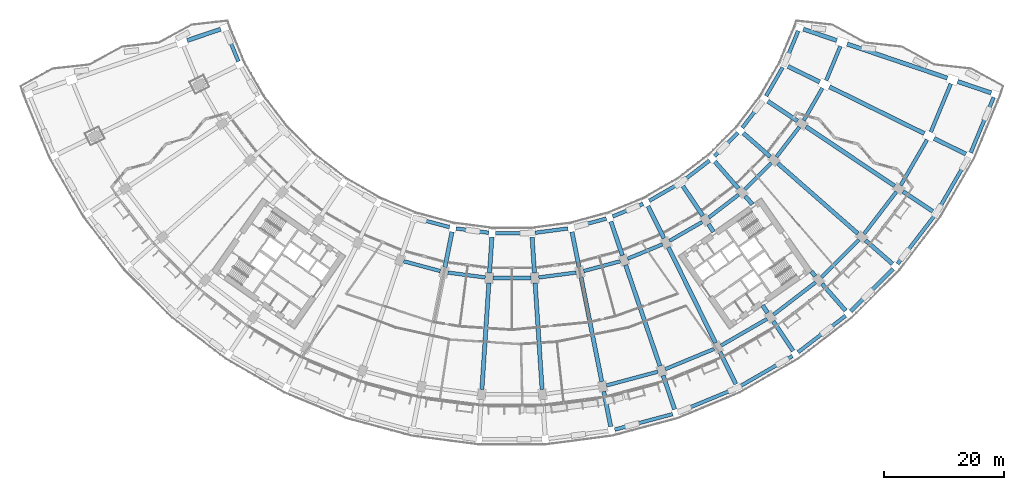
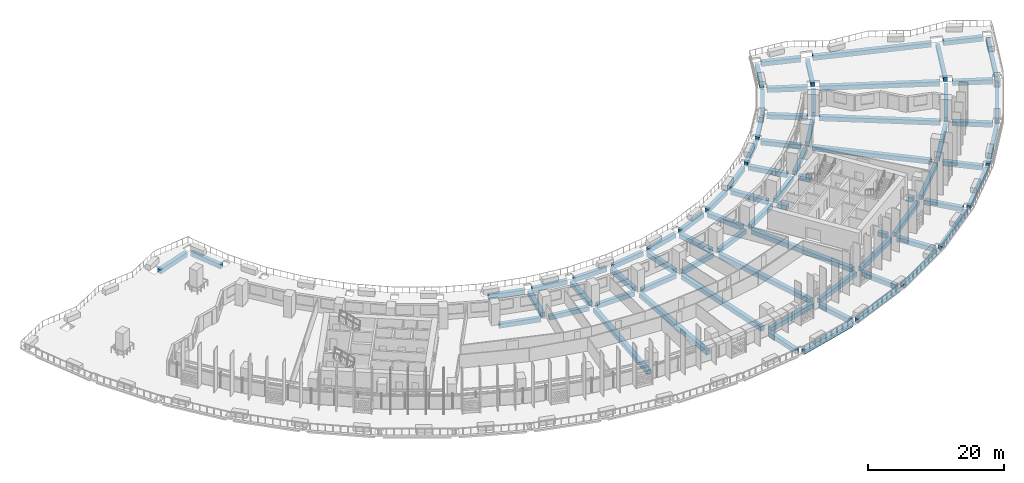
# One storey, part 2 of 35: 76 beams.
"""IFC4 building model written with IfcOpenShell, lengths in metres."""

from ifc_helpers import new_model, si_unit, direction, frame, origin, origin_2d, place, context, subcontext, project, spatial, rectangle, extrude, material, material_profile, profile_set, type_object, element, save


model = new_model("IFC4")

# Units and contexts
model_context = context("Model", 3, precision=1e-05, world=origin(), true_north=direction((0.0, 1.0)))
body_context = subcontext(model_context, "Body", "Model", "MODEL_VIEW")
ifc_project = project(units=[si_unit("LENGTHUNIT", "METRE"), si_unit("AREAUNIT", "SQUARE_METRE"), si_unit("VOLUMEUNIT", "CUBIC_METRE"), si_unit("PLANEANGLEUNIT", "RADIAN"), si_unit("MASSUNIT", "GRAM", prefix="KILO")], contexts=[model_context])

# Site, building, storey
site_placement = place(None, origin())
site = spatial("IfcSite", under=ifc_project, at=site_placement, CompositionType="ELEMENT")
building_placement = place(site_placement, origin())
building = spatial("IfcBuilding", under=site, at=building_placement, Name="Qamariyya Broadcast Tower", CompositionType="ELEMENT")
storey_placement = place(building_placement, frame((0.0, 0.0, 40.5)))
storey = spatial("IfcBuildingStorey", under=building, at=storey_placement, Name="L06", CompositionType="ELEMENT", Elevation=40.5)

# Beams
ifc_material = material(Name="Concrete C50/60", Category="concrete")
ifc_material_profile_1 = material_profile(ifc_material, rectangle(XDim=0.60009765625, YDim=0.800048828125, at=origin_2d()))
ifc_profile_set_1 = profile_set([ifc_material_profile_1], Name="Concrete C50/60")
beam_type_1 = type_object("IfcBeamType", Name="RC edge beam 600 x 800 C50/60", PredefinedType="SPANDREL", material=ifc_profile_set_1)
beam_1_placement = place(storey_placement, frame((-47.845703125, -16.822265625, -0.699951171875), z_axis=(0.382654292645, -0.92389160204, 0.0), x_axis=(0.92389160204, 0.382654292645, 0.0)))
element("IfcBeam", 1, at=beam_1_placement, inside=storey, type_object=beam_type_1, Name="Edge beam B6 L06 A R01-R02", PredefinedType="SPANDREL", context=body_context, shape_type="SweptSolid", body=[
    extrude(rectangle(XDim=0.60009765625, YDim=0.800048828125, at=origin_2d()), origin(), (0.0, 0.0, 1.0), 5.5361328125),
])
for number, where, z_axis, x_axis, name in (
    (2, (-15.78076171875, -48.199462890625, -0.699951171875), (0.965935650788, -0.25878237679, 0.0), (0.25878237679, 0.965935650788, 0.0), "Edge beam B6 L06 A R08-R09"),
    (3, (-9.354248046875, -49.8466796875, -0.699951171875), (0.991443033841, -0.130540072958, 0.0), (0.130540072958, 0.991443033841, 0.0), "Edge beam B6 L06 A R09-R10"),
):
    element("IfcBeam", number, at=place(storey_placement, frame(where, z_axis=z_axis, x_axis=x_axis)), inside=storey, type_object=beam_type_1, Name=name, PredefinedType="SPANDREL", context=body_context, shape_type="SweptSolid", body=[
        extrude(rectangle(XDim=0.60009765625, YDim=0.800048828125, at=origin_2d()), origin(), (0.0, 0.0, 1.0), 5.535888671875),
    ])
beam_2_placement = place(storey_placement, frame((-2.76806640625, -50.641357421875, -0.699951171875), z_axis=(1.0, 0.0, 0.0), x_axis=(0.0, 1.0, 0.0)))
element("IfcBeam", 4, at=beam_2_placement, inside=storey, type_object=beam_type_1, Name="Edge beam B6 L06 A R10-R11", PredefinedType="SPANDREL", context=body_context, shape_type="SweptSolid", body=[
    extrude(rectangle(XDim=0.60009765625, YDim=0.800048828125, at=origin_2d()), origin(), (0.0, 0.0, 1.0), 5.5361328125),
])
for number, where, z_axis, x_axis, name in (
    (5, (3.86572265625, -50.5693359375, -0.699951171875), (0.991443033841, 0.130540072958, 0.0), (-0.130540072958, 0.991443033841, 0.0), "Edge beam B6 L06 A R11-R12"),
    (6, (10.433349609375, -49.632080078125, -0.699951171875), (0.965935650788, 0.25878237679, 0.0), (-0.25878237679, 0.965935650788, 0.0), "Edge beam B6 L06 A R12-R13"),
):
    element("IfcBeam", number, at=place(storey_placement, frame(where, z_axis=z_axis, x_axis=x_axis)), inside=storey, type_object=beam_type_1, Name=name, PredefinedType="SPANDREL", context=body_context, shape_type="SweptSolid", body=[
        extrude(rectangle(XDim=0.60009765625, YDim=0.800048828125, at=origin_2d()), origin(), (0.0, 0.0, 1.0), 5.535888671875),
    ])
beam_3_placement = place(storey_placement, frame((16.822265625, -47.845703125, -0.699951171875), z_axis=(0.92389160204, 0.382654292645, 0.0), x_axis=(-0.382654292645, 0.92389160204, 0.0)))
element("IfcBeam", 7, at=beam_3_placement, inside=storey, type_object=beam_type_1, Name="Edge beam B6 L06 A R13-R14", PredefinedType="SPANDREL", context=body_context, shape_type="SweptSolid", body=[
    extrude(rectangle(XDim=0.60009765625, YDim=0.800048828125, at=origin_2d()), origin(), (0.0, 0.0, 1.0), 5.5361328125),
])
for number, where, z_axis, x_axis, name in (
    (8, (22.923583984375, -45.24072265625, -0.699951171875), (0.86601446587, 0.500018944545, 0.0), (-0.500018944545, 0.86601446587, 0.0), "Edge beam B6 L06 A R14-R15"),
    (9, (28.632568359375, -41.861572265625, -0.699951171875), (0.793341522964, 0.60877682934, 0.0), (-0.60877682934, 0.793341522964, 0.0), "Edge beam B6 L06 A R15-R16"),
):
    element("IfcBeam", number, at=place(storey_placement, frame(where, z_axis=z_axis, x_axis=x_axis)), inside=storey, type_object=beam_type_1, Name=name, PredefinedType="SPANDREL", context=body_context, shape_type="SweptSolid", body=[
        extrude(rectangle(XDim=0.60009765625, YDim=0.800048828125, at=origin_2d()), origin(), (0.0, 0.0, 1.0), 5.535888671875),
    ])
beam_4_placement = place(storey_placement, frame((33.8515625, -37.76611328125, -0.699951171875), z_axis=(0.707106781187, 0.707106781187, 0.0), x_axis=(-0.707106781187, 0.707106781187, 0.0)))
element("IfcBeam", 10, at=beam_4_placement, inside=storey, type_object=beam_type_1, Name="Edge beam B6 L06 A R16-R17", PredefinedType="SPANDREL", context=body_context, shape_type="SweptSolid", body=[
    extrude(rectangle(XDim=0.60009765625, YDim=0.800048828125, at=origin_2d()), origin(), (0.0, 0.0, 1.0), 5.5361328125),
])
for number, where, z_axis, x_axis, name in (
    (11, (38.491455078125, -33.0244140625, -0.699951171875), (0.60877682934, 0.793341522964, 0.0), (-0.793341522964, 0.60877682934, 0.0), "Edge beam B6 L06 A R17-R18"),
    (12, (42.47265625, -27.7177734375, -0.699951171875), (0.500018944545, 0.86601446587, 0.0), (-0.86601446587, 0.500018944545, 0.0), "Edge beam B6 L06 A R18-R19"),
):
    element("IfcBeam", number, at=place(storey_placement, frame(where, z_axis=z_axis, x_axis=x_axis)), inside=storey, type_object=beam_type_1, Name=name, PredefinedType="SPANDREL", context=body_context, shape_type="SweptSolid", body=[
        extrude(rectangle(XDim=0.60009765625, YDim=0.800048828125, at=origin_2d()), origin(), (0.0, 0.0, 1.0), 5.535888671875),
    ])
beam_5_placement = place(storey_placement, frame((45.727294921875, -21.93701171875, -0.699951171875), z_axis=(0.382654292645, 0.92389160204, 0.0), x_axis=(-0.92389160204, 0.382654292645, 0.0)))
element("IfcBeam", 13, at=beam_5_placement, inside=storey, type_object=beam_type_1, Name="Edge beam B6 L06 A R19-R20", PredefinedType="SPANDREL", context=body_context, shape_type="SweptSolid", body=[
    extrude(rectangle(XDim=0.60009765625, YDim=0.800048828125, at=origin_2d()), origin(), (0.0, 0.0, 1.0), 5.5361328125),
])
for number, where, z_axis, x_axis, name in (
    (14, (-18.0947265625, -55.327392578125, -0.699951171875), (0.965931490327, -0.258797905699, 0.0), (0.258797905699, 0.965931490327, 0.0), "Edge beam B6 L06 B R08-R09"),
    (15, (-10.71826171875, -57.2158203125, -0.699951171875), (0.991445610946, -0.130520498525, 0.0), (0.130520498525, 0.991445610946, 0.0), "Edge beam B6 L06 B R09-R10"),
):
    element("IfcBeam", number, at=place(storey_placement, frame(where, z_axis=z_axis, x_axis=x_axis)), inside=storey, type_object=beam_type_1, Name=name, PredefinedType="SPANDREL", context=body_context, shape_type="SweptSolid", body=[
        extrude(rectangle(XDim=0.60009765625, YDim=0.800048828125, at=origin_2d()), origin(), (0.0, 0.0, 1.0), 6.316650390625),
    ])
beam_6_placement = place(storey_placement, frame((-3.158447265625, -58.125244140625, -0.699951171875), z_axis=(1.0, 0.0, 0.0), x_axis=(0.0, 1.0, 0.0)))
element("IfcBeam", 16, at=beam_6_placement, inside=storey, type_object=beam_type_1, Name="Edge beam B6 L06 B R10-R11", PredefinedType="SPANDREL", context=body_context, shape_type="SweptSolid", body=[
    extrude(rectangle(XDim=0.60009765625, YDim=0.800048828125, at=origin_2d()), origin(), (0.0, 0.0, 1.0), 6.31689453125),
])
for number, where, z_axis, x_axis, name in (
    (17, (4.45556640625, -58.040283203125, -0.699951171875), (0.991445610946, 0.130520498525, 0.0), (-0.130520498525, 0.991445610946, 0.0), "Edge beam B6 L06 B R11-R12"),
    (18, (11.9931640625, -56.962158203125, -0.699951171875), (0.965931490327, 0.258797905699, 0.0), (-0.258797905699, 0.965931490327, 0.0), "Edge beam B6 L06 B R12-R13"),
    (19, (19.32568359375, -54.909423828125, -0.699951171875), (0.923884465345, 0.382671523234, 0.0), (-0.382671523234, 0.923884465345, 0.0), "Edge beam B6 L06 B R13-R14"),
):
    element("IfcBeam", number, at=place(storey_placement, frame(where, z_axis=z_axis, x_axis=x_axis)), inside=storey, type_object=beam_type_1, Name=name, PredefinedType="SPANDREL", context=body_context, shape_type="SweptSolid", body=[
        extrude(rectangle(XDim=0.60009765625, YDim=0.800048828125, at=origin_2d()), origin(), (0.0, 0.0, 1.0), 6.316650390625),
    ])
for number, where, z_axis, x_axis, name in (
    (20, (26.327392578125, -51.917236328125, -0.699951171875), (0.866020173512, 0.500009058987, 0.0), (-0.500009058987, 0.866020173512, 0.0), "Edge beam B6 L06 B R14-R15"),
    (21, (32.878662109375, -48.03662109375, -0.699951171875), (0.7933518672, 0.608763348773, 0.0), (-0.608763348773, 0.7933518672, 0.0), "Edge beam B6 L06 B R15-R16"),
):
    element("IfcBeam", number, at=place(storey_placement, frame(where, z_axis=z_axis, x_axis=x_axis)), inside=storey, type_object=beam_type_1, Name=name, PredefinedType="SPANDREL", context=body_context, shape_type="SweptSolid", body=[
        extrude(rectangle(XDim=0.60009765625, YDim=0.800048828125, at=origin_2d()), origin(), (0.0, 0.0, 1.0), 6.31689453125),
    ])
beam_7_placement = place(storey_placement, frame((38.867431640625, -43.333984375, -0.699951171875), z_axis=(0.707106781187, 0.707106781187, 0.0), x_axis=(-0.707106781187, 0.707106781187, 0.0)))
element("IfcBeam", 22, at=beam_7_placement, inside=storey, type_object=beam_type_1, Name="Edge beam B6 L06 B R16-R17", PredefinedType="SPANDREL", context=body_context, shape_type="SweptSolid", body=[
    extrude(rectangle(XDim=0.60009765625, YDim=0.800048828125, at=origin_2d()), origin(), (0.0, 0.0, 1.0), 6.316650390625),
])
beam_8_placement = place(storey_placement, frame((44.191162109375, -37.89013671875, -0.699951171875), z_axis=(0.608763348773, 0.7933518672, 0.0), x_axis=(-0.7933518672, 0.608763348773, 0.0)))
element("IfcBeam", 23, at=beam_8_placement, inside=storey, type_object=beam_type_1, Name="Edge beam B6 L06 B R17-R18", PredefinedType="SPANDREL", context=body_context, shape_type="SweptSolid", body=[
    extrude(rectangle(XDim=0.60009765625, YDim=0.800048828125, at=origin_2d()), origin(), (0.0, 0.0, 1.0), 6.31689453125),
])
beam_9_placement = place(storey_placement, frame((48.7587890625, -31.7978515625, -0.699951171875), z_axis=(0.500002362859, 0.866024039583, 0.0), x_axis=(-0.866024039583, 0.500002362859, 0.0)))
element("IfcBeam", 24, at=beam_9_placement, inside=storey, type_object=beam_type_1, Name="Edge beam B6 L06 B R18-R19", PredefinedType="SPANDREL", context=body_context, shape_type="SweptSolid", body=[
    extrude(rectangle(XDim=0.60009765625, YDim=0.800048828125, at=origin_2d()), origin(), (0.0, 0.0, 1.0), 6.2666015625),
])
beam_10_placement = place(storey_placement, frame((52.51123046875, -25.115234375, -0.699951171875), z_axis=(0.38268477858, 0.92387897489, 0.0), x_axis=(-0.92387897489, 0.38268477858, 0.0)))
element("IfcBeam", 25, at=beam_10_placement, inside=storey, type_object=beam_type_1, Name="Edge beam B6 L06 B R19-R20", PredefinedType="SPANDREL", context=body_context, shape_type="SweptSolid", body=[
    extrude(rectangle(XDim=0.60009765625, YDim=0.800048828125, at=origin_2d()), origin(), (0.0, 0.0, 1.0), 6.21630859375),
])
for number, where, z_axis, x_axis, name in (
    (26, (15.79736328125, -76.08740234375, -0.699951171875), (0.965930847021, 0.258800306749, 0.0), (-0.258800306749, 0.965930847021, 0.0), "Edge beam B6 L06 C R12-R13"),
    (27, (25.59375, -73.37451171875, -0.699951171875), (0.923882942367, 0.382675200142, 0.0), (-0.382675200142, 0.923882942367, 0.0), "Edge beam B6 L06 C R13-R14"),
):
    element("IfcBeam", number, at=place(storey_placement, frame(where, z_axis=z_axis, x_axis=x_axis)), inside=storey, type_object=beam_type_1, Name=name, PredefinedType="SPANDREL", context=body_context, shape_type="SweptSolid", body=[
        extrude(rectangle(XDim=0.60009765625, YDim=0.800048828125, at=origin_2d()), origin(), (0.0, 0.0, 1.0), 8.867431640625),
    ])
beam_11_placement = place(storey_placement, frame((34.9521484375, -69.40625, -0.699951171875), z_axis=(0.866013187848, 0.500021158025, 0.0), x_axis=(-0.500021158025, 0.866013187848, 0.0)))
element("IfcBeam", 28, at=beam_11_placement, inside=storey, type_object=beam_type_1, Name="Edge beam B6 L06 C R14-R15", PredefinedType="SPANDREL", context=body_context, shape_type="SweptSolid", body=[
    extrude(rectangle(XDim=0.60009765625, YDim=0.800048828125, at=origin_2d()), origin(), (0.0, 0.0, 1.0), 8.8671875),
])
beam_12_placement = place(storey_placement, frame((43.71240234375, -64.250244140625, -0.699951171875), z_axis=(0.793347052809, 0.608769622928, 0.0), x_axis=(-0.608769622928, 0.793347052809, 0.0)))
element("IfcBeam", 29, at=beam_12_placement, inside=storey, type_object=beam_type_1, Name="Edge beam B6 L06 C R15-R16", PredefinedType="SPANDREL", context=body_context, shape_type="SweptSolid", body=[
    extrude(rectangle(XDim=0.60009765625, YDim=0.800048828125, at=origin_2d()), origin(), (0.0, 0.0, 1.0), 8.867431640625),
])
beam_13_placement = place(storey_placement, frame((51.724853515625, -57.994873046875, -0.699951171875), z_axis=(0.707106781187, 0.707106781187, 0.0), x_axis=(-0.707106781187, 0.707106781187, 0.0)))
element("IfcBeam", 30, at=beam_13_placement, inside=storey, type_object=beam_type_1, Name="Edge beam B6 L06 C R16-R17", PredefinedType="SPANDREL", context=body_context, shape_type="SweptSolid", body=[
    extrude(rectangle(XDim=0.60009765625, YDim=0.800048828125, at=origin_2d()), origin(), (0.0, 0.0, 1.0), 8.8671875),
])
beam_14_placement = place(storey_placement, frame((58.85205078125, -50.747314453125, -0.699951171875), z_axis=(0.608769622928, 0.793347052809, 0.0), x_axis=(-0.793347052809, 0.608769622928, 0.0)))
element("IfcBeam", 31, at=beam_14_placement, inside=storey, type_object=beam_type_1, Name="Edge beam B6 L06 C R17-R18", PredefinedType="SPANDREL", context=body_context, shape_type="SweptSolid", body=[
    extrude(rectangle(XDim=0.60009765625, YDim=0.800048828125, at=origin_2d()), origin(), (0.0, 0.0, 1.0), 8.867431640625),
])
beam_15_placement = place(storey_placement, frame((64.972412109375, -42.63134765625, -0.699951171875), z_axis=(0.500004477908, 0.866022818448, 0.0), x_axis=(-0.866022818448, 0.500004477908, 0.0)))
element("IfcBeam", 32, at=beam_15_placement, inside=storey, type_object=beam_type_1, Name="Edge beam B6 L06 C R18-R19", PredefinedType="SPANDREL", context=body_context, shape_type="SweptSolid", body=[
    extrude(rectangle(XDim=0.60009765625, YDim=0.800048828125, at=origin_2d()), origin(), (0.0, 0.0, 1.0), 8.8173828125),
])
beam_16_placement = place(storey_placement, frame((70.000244140625, -33.73974609375, -0.699951171875), z_axis=(0.38270841035, 0.923869185896, 0.0), x_axis=(-0.923869185896, 0.38270841035, 0.0)))
element("IfcBeam", 33, at=beam_16_placement, inside=storey, type_object=beam_type_1, Name="Edge beam B6 L06 C R19-R20", PredefinedType="SPANDREL", context=body_context, shape_type="SweptSolid", body=[
    extrude(rectangle(XDim=0.60009765625, YDim=0.800048828125, at=origin_2d()), origin(), (0.0, 0.0, 1.0), 8.76708984375),
])
for number, where, z_axis, x_axis, name in (
    (34, (17.163818359375, -83.46923828125, -0.699951171875), (0.96592657939, 0.258816234475, 0.0), (-0.258816234475, 0.96592657939, 0.0), "Edge beam B6 L06 D R12-R13"),
    (35, (27.911865234375, -80.514892578125, -0.699951171875), (0.923882101991, 0.382677229034, 0.0), (-0.382677229034, 0.923882101991, 0.0), "Edge beam B6 L06 D R13-R14"),
    (36, (38.182373046875, -76.182861328125, -0.699951171875), (0.866027799164, 0.499995851058, 0.0), (-0.499995851058, 0.866027799164, 0.0), "Edge beam B6 L06 D R14-R15"),
):
    element("IfcBeam", number, at=place(storey_placement, frame(where, z_axis=z_axis, x_axis=x_axis)), inside=storey, type_object=beam_type_1, Name=name, PredefinedType="SPANDREL", context=body_context, shape_type="SweptSolid", body=[
        extrude(rectangle(XDim=0.60009765625, YDim=0.800048828125, at=origin_2d()), origin(), (0.0, 0.0, 1.0), 10.048828125),
    ])
for number, where, z_axis, x_axis, name in (
    (37, (47.799560546875, -70.54736328125, -0.699951171875), (0.793354077072, 0.608760468816, 0.0), (-0.608760468816, 0.793354077072, 0.0), "Edge beam B6 L06 D R15-R16"),
    (38, (56.598876953125, -63.70458984375, -0.699951171875), (0.707106781187, 0.707106781187, 0.0), (-0.707106781187, 0.707106781187, 0.0), "Edge beam B6 L06 D R16-R17"),
    (39, (64.429931640625, -55.77197265625, -0.699951171875), (0.608760468816, 0.793354077072, 0.0), (-0.793354077072, 0.608760468816, 0.0), "Edge beam B6 L06 D R17-R18"),
):
    element("IfcBeam", number, at=place(storey_placement, frame(where, z_axis=z_axis, x_axis=x_axis)), inside=storey, type_object=beam_type_1, Name=name, PredefinedType="SPANDREL", context=body_context, shape_type="SweptSolid", body=[
        extrude(rectangle(XDim=0.60009765625, YDim=0.800048828125, at=origin_2d()), origin(), (0.0, 0.0, 1.0), 10.049072265625),
    ])
for number, where, z_axis, x_axis, name in (
    (40, (71.158447265625, -46.885009765625, -0.699951171875), (0.499995851058, 0.866027799164, 0.0), (-0.866027799164, 0.499995851058, 0.0), "Edge beam B6 L06 D R18-R19"),
    (41, (76.66943359375, -37.19580078125, -0.699951171875), (0.382677229034, 0.923882101991, 0.0), (-0.923882101991, 0.382677229034, 0.0), "Edge beam B6 L06 D R19-R20"),
):
    element("IfcBeam", number, at=place(storey_placement, frame(where, z_axis=z_axis, x_axis=x_axis)), inside=storey, type_object=beam_type_1, Name=name, PredefinedType="SPANDREL", context=body_context, shape_type="SweptSolid", body=[
        extrude(rectangle(XDim=0.60009765625, YDim=0.800048828125, at=origin_2d()), origin(), (0.0, 0.0, 1.0), 10.048828125),
    ])
ifc_material_profile_2 = material_profile(ifc_material, rectangle(XDim=0.699951171875, YDim=0.800048828125, at=origin_2d()))
ifc_profile_set_2 = profile_set([ifc_material_profile_2], Name="Concrete C50/60")
beam_type_2 = type_object("IfcBeamType", Name="RC radial beam 700 x 800 C50/60", PredefinedType="BEAM", material=ifc_profile_set_2)
beam_17_placement = place(storey_placement, frame((-48.672119140625, -16.52197265625, -0.699951171875), z_axis=(-0.946929197619, -0.32144221051, 0.0), x_axis=(0.32144221051, -0.946929197619, 0.0)))
element("IfcBeam", 42, at=beam_17_placement, inside=storey, type_object=beam_type_2, Name="Radial beam B5 L06 R01 A-B", PredefinedType="BEAM", context=body_context, shape_type="SweptSolid", body=[
    extrude(rectangle(XDim=0.699951171875, YDim=0.800048828125, at=origin_2d()), origin(), (0.0, 0.0, 1.0), 5.949951171875),
])
for number, where, z_axis, x_axis, name in (
    (43, (-10.027587890625, -50.412353515625, -0.699951171875), (-0.195106616233, -0.980782039141, 0.0), (0.980782039141, -0.195106616233, 0.0), "Radial beam B5 L06 R09 A-B"),
    (44, (-3.36181640625, -51.2900390625, -0.699951171875), (-0.065390069123, -0.997859779157, 0.0), (0.997859779157, -0.065390069123, 0.0), "Radial beam B5 L06 R10 A-B"),
):
    element("IfcBeam", number, at=place(storey_placement, frame(where, z_axis=z_axis, x_axis=x_axis)), inside=storey, type_object=beam_type_2, Name=name, PredefinedType="BEAM", context=body_context, shape_type="SweptSolid", body=[
        extrude(rectangle(XDim=0.699951171875, YDim=0.800048828125, at=origin_2d()), origin(), (0.0, 0.0, 1.0), 6.0),
    ])
beam_18_placement = place(storey_placement, frame((-3.865234375, -58.973388671875, -0.699951171875), z_axis=(-0.0654101824, -0.997858460924, 0.0), x_axis=(0.997858460924, -0.0654101824, 0.0)))
element("IfcBeam", 45, at=beam_18_placement, inside=storey, type_object=beam_type_2, Name="Radial beam B5 L06 R10 B-C", PredefinedType="BEAM", context=body_context, shape_type="SweptSolid", body=[
    extrude(rectangle(XDim=0.699951171875, YDim=0.800048828125, at=origin_2d()), origin(), (0.0, 0.0, 1.0), 17.800048828125),
])
beam_19_placement = place(storey_placement, frame((3.36181640625, -51.2900390625, -0.699951171875), z_axis=(0.065390069123, -0.997859779157, 0.0), x_axis=(0.997859779157, 0.065390069123, 0.0)))
element("IfcBeam", 46, at=beam_19_placement, inside=storey, type_object=beam_type_2, Name="Radial beam B5 L06 R11 A-B", PredefinedType="BEAM", context=body_context, shape_type="SweptSolid", body=[
    extrude(rectangle(XDim=0.699951171875, YDim=0.800048828125, at=origin_2d()), origin(), (0.0, 0.0, 1.0), 6.0),
])
beam_20_placement = place(storey_placement, frame((3.865234375, -58.973388671875, -0.699951171875), z_axis=(0.0654101824, -0.997858460924, 0.0), x_axis=(0.997858460924, 0.0654101824, 0.0)))
element("IfcBeam", 47, at=beam_20_placement, inside=storey, type_object=beam_type_2, Name="Radial beam B5 L06 R11 B-C", PredefinedType="BEAM", context=body_context, shape_type="SweptSolid", body=[
    extrude(rectangle(XDim=0.699951171875, YDim=0.800048828125, at=origin_2d()), origin(), (0.0, 0.0, 1.0), 17.800048828125),
])
beam_21_placement = place(storey_placement, frame((10.027587890625, -50.412353515625, -0.699951171875), z_axis=(0.195106616233, -0.980782039141, 0.0), x_axis=(0.980782039141, 0.195106616233, 0.0)))
element("IfcBeam", 48, at=beam_21_placement, inside=storey, type_object=beam_type_2, Name="Radial beam B5 L06 R12 A-B", PredefinedType="BEAM", context=body_context, shape_type="SweptSolid", body=[
    extrude(rectangle(XDim=0.699951171875, YDim=0.800048828125, at=origin_2d()), origin(), (0.0, 0.0, 1.0), 6.0),
])
beam_22_placement = place(storey_placement, frame((11.52978515625, -57.96435546875, -0.699951171875), z_axis=(0.19509262344, -0.980784822619, 0.0), x_axis=(0.980784822619, 0.19509262344, 0.0)))
element("IfcBeam", 49, at=beam_22_placement, inside=storey, type_object=beam_type_2, Name="Radial beam B5 L06 R12 B-C", PredefinedType="BEAM", context=body_context, shape_type="SweptSolid", body=[
    extrude(rectangle(XDim=0.699951171875, YDim=0.800048828125, at=origin_2d()), origin(), (0.0, 0.0, 1.0), 17.800048828125),
])
beam_23_placement = place(storey_placement, frame((15.333984375, -77.08984375, -0.699951171875), z_axis=(0.195114402779, -0.980780490134, 0.0), x_axis=(0.980780490134, 0.195114402779, 0.0)))
element("IfcBeam", 50, at=beam_23_placement, inside=storey, type_object=beam_type_2, Name="Radial beam B5 L06 R12 C-D", PredefinedType="BEAM", context=body_context, shape_type="SweptSolid", body=[
    extrude(rectangle(XDim=0.699951171875, YDim=0.800048828125, at=origin_2d()), origin(), (0.0, 0.0, 1.0), 5.999755859375),
])
beam_24_placement = place(storey_placement, frame((16.52197265625, -48.672119140625, -0.699951171875), z_axis=(0.32144750987, -0.946927398695, 0.0), x_axis=(0.946927398695, 0.32144750987, 0.0)))
element("IfcBeam", 51, at=beam_24_placement, inside=storey, type_object=beam_type_2, Name="Radial beam B5 L06 R13 A-B", PredefinedType="BEAM", context=body_context, shape_type="SweptSolid", body=[
    extrude(rectangle(XDim=0.699951171875, YDim=0.800048828125, at=origin_2d()), origin(), (0.0, 0.0, 1.0), 6.0),
])
beam_25_placement = place(storey_placement, frame((18.9970703125, -55.963623046875, -0.699951171875), z_axis=(0.321444599042, -0.94692838681, 0.0), x_axis=(0.94692838681, 0.321444599042, 0.0)))
element("IfcBeam", 52, at=beam_25_placement, inside=storey, type_object=beam_type_2, Name="Radial beam B5 L06 R13 B-C", PredefinedType="BEAM", context=body_context, shape_type="SweptSolid", body=[
    extrude(rectangle(XDim=0.699951171875, YDim=0.800048828125, at=origin_2d()), origin(), (0.0, 0.0, 1.0), 17.7998046875),
])
for number, where, z_axis, x_axis, name in (
    (53, (25.26513671875, -74.4287109375, -0.699951171875), (0.32144750987, -0.946927398695, 0.0), (0.946927398695, 0.32144750987, 0.0), "Radial beam B5 L06 R13 C-D"),
    (54, (22.733642578125, -46.099365234375, -0.699951171875), (0.442307728476, -0.896863352652, 0.0), (0.896863352652, 0.442307728476, 0.0), "Radial beam B5 L06 R14 A-B"),
):
    element("IfcBeam", number, at=place(storey_placement, frame(where, z_axis=z_axis, x_axis=x_axis)), inside=storey, type_object=beam_type_2, Name=name, PredefinedType="BEAM", context=body_context, shape_type="SweptSolid", body=[
        extrude(rectangle(XDim=0.699951171875, YDim=0.800048828125, at=origin_2d()), origin(), (0.0, 0.0, 1.0), 6.0),
    ])
beam_26_placement = place(storey_placement, frame((26.13916015625, -53.005126953125, -0.699951171875), z_axis=(0.442291123934, -0.896871541353, 0.0), x_axis=(0.896871541353, 0.442291123934, 0.0)))
element("IfcBeam", 55, at=beam_26_placement, inside=storey, type_object=beam_type_2, Name="Radial beam B5 L06 R14 B-C", PredefinedType="BEAM", context=body_context, shape_type="SweptSolid", body=[
    extrude(rectangle(XDim=0.699951171875, YDim=0.800048828125, at=origin_2d()), origin(), (0.0, 0.0, 1.0), 17.800048828125),
])
beam_27_placement = place(storey_placement, frame((34.763916015625, -70.494140625, -0.699951171875), z_axis=(0.442291587422, -0.896871312784, 0.0), x_axis=(0.896871312784, 0.442291587422, 0.0)))
element("IfcBeam", 56, at=beam_27_placement, inside=storey, type_object=beam_type_2, Name="Radial beam B5 L06 R14 C-D", PredefinedType="BEAM", context=body_context, shape_type="SweptSolid", body=[
    extrude(rectangle(XDim=0.699951171875, YDim=0.800048828125, at=origin_2d()), origin(), (0.0, 0.0, 1.0), 6.000244140625),
])
beam_28_placement = place(storey_placement, frame((28.556396484375, -42.737548828125, -0.699951171875), z_axis=(0.555554414994, -0.831480181352, 0.0), x_axis=(0.831480181352, 0.555554414994, 0.0)))
element("IfcBeam", 57, at=beam_28_placement, inside=storey, type_object=beam_type_2, Name="Radial beam B5 L06 R15 A-B", PredefinedType="BEAM", context=body_context, shape_type="SweptSolid", body=[
    extrude(rectangle(XDim=0.699951171875, YDim=0.800048828125, at=origin_2d()), origin(), (0.0, 0.0, 1.0), 5.999755859375),
])
beam_29_placement = place(storey_placement, frame((32.834228515625, -49.139892578125, -0.699951171875), z_axis=(0.555518362002, -0.831504269068, 0.0), x_axis=(0.831504269068, 0.555518362002, 0.0)))
element("IfcBeam", 58, at=beam_29_placement, inside=storey, type_object=beam_type_2, Name="Radial beam B5 L06 R15 B-C", PredefinedType="BEAM", context=body_context, shape_type="SweptSolid", body=[
    extrude(rectangle(XDim=0.699951171875, YDim=0.800048828125, at=origin_2d()), origin(), (0.0, 0.0, 1.0), 1.514404296875),
])
beam_30_placement = place(storey_placement, frame((41.89990234375, -62.707763671875, -0.699951171875), z_axis=(0.555650227013, -0.831416156459, 0.0), x_axis=(0.831416156459, 0.555650227013, 0.0)))
element("IfcBeam", 59, at=beam_30_placement, inside=storey, type_object=beam_type_2, Name="Radial beam B5 L06 R15 B-C", PredefinedType="BEAM", context=body_context, shape_type="SweptSolid", body=[
    extrude(rectangle(XDim=0.699951171875, YDim=0.800048828125, at=origin_2d()), origin(), (0.0, 0.0, 1.0), 1.48193359375),
])
for number, where, z_axis, x_axis, name in (
    (60, (43.667724609375, -65.353515625, -0.699951171875), (0.555582546151, -0.831461384799, 0.0), (0.831461384799, 0.555582546151, 0.0), "Radial beam B5 L06 R15 C-D"),
    (61, (33.890380859375, -38.64453125, -0.699951171875), (0.659348250729, -0.751837671483, 0.0), (0.751837671483, 0.659348250729, 0.0), "Radial beam B5 L06 R16 A-B"),
):
    element("IfcBeam", number, at=place(storey_placement, frame(where, z_axis=z_axis, x_axis=x_axis)), inside=storey, type_object=beam_type_2, Name=name, PredefinedType="BEAM", context=body_context, shape_type="SweptSolid", body=[
        extrude(rectangle(XDim=0.699951171875, YDim=0.800048828125, at=origin_2d()), origin(), (0.0, 0.0, 1.0), 6.0),
    ])
beam_31_placement = place(storey_placement, frame((38.96728515625, -44.433837890625, -0.699951171875), z_axis=(0.659385827408, -0.751804715743, 0.0), x_axis=(0.751804715743, 0.659385827408, 0.0)))
element("IfcBeam", 62, at=beam_31_placement, inside=storey, type_object=beam_type_2, Name="Radial beam B5 L06 R16 B-C", PredefinedType="BEAM", context=body_context, shape_type="SweptSolid", body=[
    extrude(rectangle(XDim=0.699951171875, YDim=0.800048828125, at=origin_2d()), origin(), (0.0, 0.0, 1.0), 1.8623046875),
])
beam_32_placement = place(storey_placement, frame((50.011962890625, -57.027587890625, -0.699951171875), z_axis=(0.659278599496, -0.751898748667, 0.0), x_axis=(0.751898748667, 0.659278599496, 0.0)))
element("IfcBeam", 63, at=beam_32_placement, inside=storey, type_object=beam_type_2, Name="Radial beam B5 L06 R16 B-C", PredefinedType="BEAM", context=body_context, shape_type="SweptSolid", body=[
    extrude(rectangle(XDim=0.699951171875, YDim=0.800048828125, at=origin_2d()), origin(), (0.0, 0.0, 1.0), 1.049072265625),
])
for number, where, z_axis, x_axis, name in (
    (64, (51.824462890625, -59.0947265625, -0.699951171875), (0.659371250489, -0.75181750048, 0.0), (0.75181750048, 0.659371250489, 0.0), "Radial beam B5 L06 R16 C-D"),
    (65, (38.64453125, -33.890380859375, -0.699951171875), (0.751837671483, -0.659348250729, 0.0), (0.659348250729, 0.751837671483, 0.0), "Radial beam B5 L06 R17 A-B"),
):
    element("IfcBeam", number, at=place(storey_placement, frame(where, z_axis=z_axis, x_axis=x_axis)), inside=storey, type_object=beam_type_2, Name=name, PredefinedType="BEAM", context=body_context, shape_type="SweptSolid", body=[
        extrude(rectangle(XDim=0.699951171875, YDim=0.800048828125, at=origin_2d()), origin(), (0.0, 0.0, 1.0), 6.0),
    ])
beam_33_placement = place(storey_placement, frame((44.433837890625, -38.96728515625, -0.699951171875), z_axis=(0.751836168626, -0.659349964393, 0.0), x_axis=(0.659349964393, 0.751836168626, 0.0)))
element("IfcBeam", 66, at=beam_33_placement, inside=storey, type_object=beam_type_2, Name="Radial beam B5 L06 R17 B-C", PredefinedType="BEAM", context=body_context, shape_type="SweptSolid", body=[
    extrude(rectangle(XDim=0.699951171875, YDim=0.800048828125, at=origin_2d()), origin(), (0.0, 0.0, 1.0), 17.7998046875),
])
beam_34_placement = place(storey_placement, frame((59.0947265625, -51.824462890625, -0.699951171875), z_axis=(0.75181750048, -0.659371250489, 0.0), x_axis=(0.659371250489, 0.75181750048, 0.0)))
element("IfcBeam", 67, at=beam_34_placement, inside=storey, type_object=beam_type_2, Name="Radial beam B5 L06 R17 C-D", PredefinedType="BEAM", context=body_context, shape_type="SweptSolid", body=[
    extrude(rectangle(XDim=0.699951171875, YDim=0.800048828125, at=origin_2d()), origin(), (0.0, 0.0, 1.0), 6.0),
])
beam_35_placement = place(storey_placement, frame((42.737548828125, -28.556396484375, -0.699951171875), z_axis=(0.831480181352, -0.555554414994, 0.0), x_axis=(0.555554414994, 0.831480181352, 0.0)))
element("IfcBeam", 68, at=beam_35_placement, inside=storey, type_object=beam_type_2, Name="Radial beam B5 L06 R18 A-B", PredefinedType="BEAM", context=body_context, shape_type="SweptSolid", body=[
    extrude(rectangle(XDim=0.699951171875, YDim=0.800048828125, at=origin_2d()), origin(), (0.0, 0.0, 1.0), 5.999755859375),
])
beam_36_placement = place(storey_placement, frame((49.139892578125, -32.834228515625, -0.699951171875), z_axis=(0.831467440413, -0.555573483469, 0.0), x_axis=(0.555573483469, 0.831467440413, 0.0)))
element("IfcBeam", 69, at=beam_36_placement, inside=storey, type_object=beam_type_2, Name="Radial beam B5 L06 R18 B-C", PredefinedType="BEAM", context=body_context, shape_type="SweptSolid", body=[
    extrude(rectangle(XDim=0.699951171875, YDim=0.800048828125, at=origin_2d()), origin(), (0.0, 0.0, 1.0), 17.7998046875),
])
beam_37_placement = place(storey_placement, frame((65.353515625, -43.667724609375, -0.699951171875), z_axis=(0.831461384799, -0.555582546151, 0.0), x_axis=(0.555582546151, 0.831461384799, 0.0)))
element("IfcBeam", 70, at=beam_37_placement, inside=storey, type_object=beam_type_2, Name="Radial beam B5 L06 R18 C-D", PredefinedType="BEAM", context=body_context, shape_type="SweptSolid", body=[
    extrude(rectangle(XDim=0.699951171875, YDim=0.800048828125, at=origin_2d()), origin(), (0.0, 0.0, 1.0), 6.0),
])
beam_38_placement = place(storey_placement, frame((46.099365234375, -22.733642578125, -0.699951171875), z_axis=(0.896867525941, -0.442299266236, 0.0), x_axis=(0.442299266236, 0.896867525941, 0.0)))
element("IfcBeam", 71, at=beam_38_placement, inside=storey, type_object=beam_type_2, Name="Radial beam B5 L06 R19 A-B", PredefinedType="BEAM", context=body_context, shape_type="SweptSolid", body=[
    extrude(rectangle(XDim=0.699951171875, YDim=0.800048828125, at=origin_2d()), origin(), (0.0, 0.0, 1.0), 5.94970703125),
])
beam_39_placement = place(storey_placement, frame((53.050048828125, -26.161376953125, -0.699951171875), z_axis=(0.896868921808, -0.442296435771, 0.0), x_axis=(0.442296435771, 0.896868921808, 0.0)))
element("IfcBeam", 72, at=beam_39_placement, inside=storey, type_object=beam_type_2, Name="Radial beam B5 L06 R19 B-C", PredefinedType="BEAM", context=body_context, shape_type="SweptSolid", body=[
    extrude(rectangle(XDim=0.699951171875, YDim=0.800048828125, at=origin_2d()), origin(), (0.0, 0.0, 1.0), 17.699951171875),
])
beam_40_placement = place(storey_placement, frame((70.5390625, -34.785888671875, -0.699951171875), z_axis=(0.896859276255, -0.442315994054, 0.0), x_axis=(0.442315994054, 0.896859276255, 0.0)))
element("IfcBeam", 73, at=beam_40_placement, inside=storey, type_object=beam_type_2, Name="Radial beam B5 L06 R19 C-D", PredefinedType="BEAM", context=body_context, shape_type="SweptSolid", body=[
    extrude(rectangle(XDim=0.699951171875, YDim=0.800048828125, at=origin_2d()), origin(), (0.0, 0.0, 1.0), 5.9501953125),
])
beam_41_placement = place(storey_placement, frame((48.672119140625, -16.52197265625, -0.699951171875), z_axis=(0.946929197619, -0.32144221051, 0.0), x_axis=(0.32144221051, 0.946929197619, 0.0)))
element("IfcBeam", 74, at=beam_41_placement, inside=storey, type_object=beam_type_2, Name="Radial beam B5 L06 R20 A-B", PredefinedType="BEAM", context=body_context, shape_type="SweptSolid", body=[
    extrude(rectangle(XDim=0.699951171875, YDim=0.800048828125, at=origin_2d()), origin(), (0.0, 0.0, 1.0), 5.949951171875),
])
beam_42_placement = place(storey_placement, frame((56.010986328125, -19.01318359375, -0.699951171875), z_axis=(0.946929601856, -0.321441019674, 0.0), x_axis=(0.321441019674, 0.946929601856, 0.0)))
element("IfcBeam", 75, at=beam_42_placement, inside=storey, type_object=beam_type_2, Name="Radial beam B5 L06 R20 B-C", PredefinedType="BEAM", context=body_context, shape_type="SweptSolid", body=[
    extrude(rectangle(XDim=0.699951171875, YDim=0.800048828125, at=origin_2d()), origin(), (0.0, 0.0, 1.0), 17.699951171875),
])
beam_43_placement = place(storey_placement, frame((74.47607421875, -25.28125, -0.699951171875), z_axis=(0.946929197619, -0.32144221051, 0.0), x_axis=(0.32144221051, 0.946929197619, 0.0)))
element("IfcBeam", 76, at=beam_43_placement, inside=storey, type_object=beam_type_2, Name="Radial beam B5 L06 R20 C-D", PredefinedType="BEAM", context=body_context, shape_type="SweptSolid", body=[
    extrude(rectangle(XDim=0.699951171875, YDim=0.800048828125, at=origin_2d()), origin(), (0.0, 0.0, 1.0), 5.949951171875),
])

save(model, "model.ifc")
